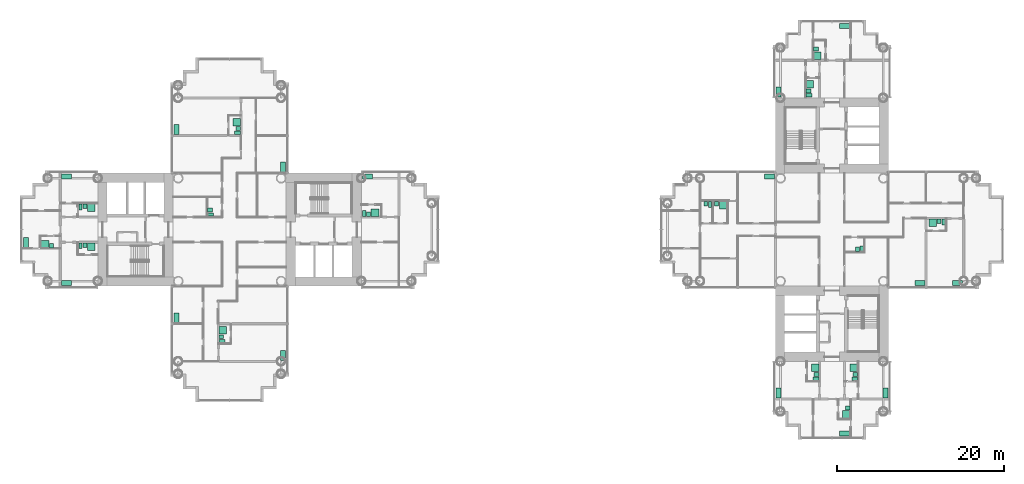
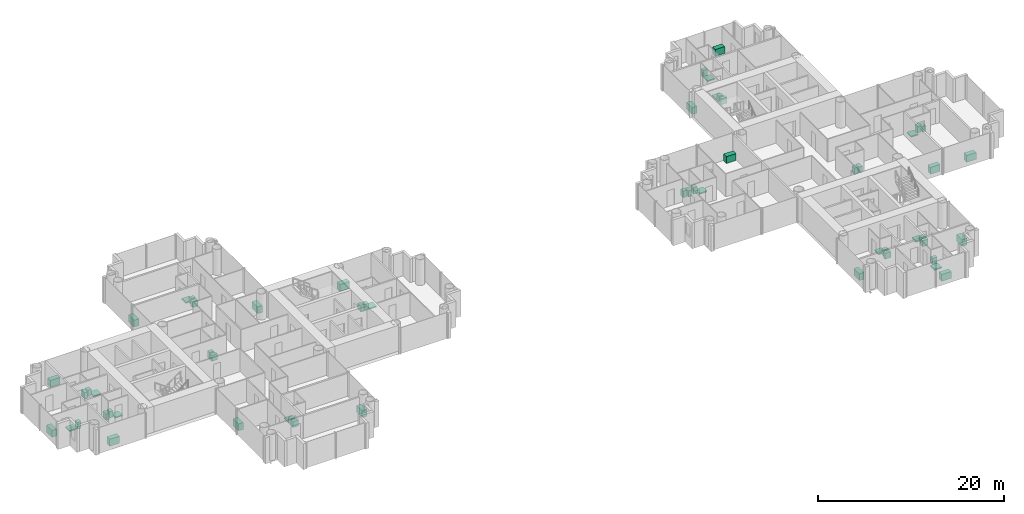
# One storey, part 22 of 22: 57 sanitary terminals.
"""IFC4 building model written with IfcOpenShell, lengths in metres."""

from ifc_helpers import new_model, si_unit, direction, frame, origin, origin_2d, place, context, subcontext, project, spatial, rectangle, extrude, material, type_object, element, save


model = new_model("IFC4")

# Units and contexts
model_context = context("Model", 3, precision=1e-05, world=origin(), true_north=direction((0.0, 1.0)))
body_context = subcontext(model_context, "Body", "Model", "MODEL_VIEW")
ifc_project = project(units=[si_unit("LENGTHUNIT", "METRE"), si_unit("AREAUNIT", "SQUARE_METRE"), si_unit("VOLUMEUNIT", "CUBIC_METRE"), si_unit("PLANEANGLEUNIT", "RADIAN"), si_unit("MASSUNIT", "GRAM", prefix="KILO")], contexts=[model_context])

# Site, building, storey
site_placement = place(None, origin())
site = spatial("IfcSite", under=ifc_project, at=site_placement, CompositionType="ELEMENT")
building_placement = place(site_placement, origin())
building = spatial("IfcBuilding", under=site, at=building_placement, Name="Ipe Terrace Towers", CompositionType="ELEMENT")
storey_placement = place(building_placement, frame((0.0, 0.0, 55.10009765625)))
storey = spatial("IfcBuildingStorey", under=building, at=storey_placement, Name="L14", CompositionType="ELEMENT", Elevation=55.10009765625)

# Sanitary terminals
ifc_material_1 = material(Name="Stainless sink unit", Category="metal")
sanitary_terminal_type_1 = type_object("IfcSanitaryTerminalType", Name="Kitchen sink unit", PredefinedType="SINK", material=ifc_material_1)
for number, where, z_axis, x_axis, name in (
    (1, (-42.3798828125, 11.969970703125, 0.0), (0.0, 0.0, 1.0), (0.0, 1.0, 0.0), "Kitchen sink unit"),
    (2, (-29.6201171875, 7.469970703125, 0.0), (0.0, 0.0, 1.0), (0.0, -1.0, 0.0), "Kitchen sink unit"),
    (3, (-29.6201171875, -15.030029296875, 0.0), (0.0, 0.0, 1.0), (0.0, -1.0, 0.0), "Kitchen sink unit"),
    (4, (-42.3798828125, -10.530029296875, 0.0), (0.0, 0.0, 1.0), (0.0, 1.0, 0.0), "Kitchen sink unit"),
    (5, (-19.530029296875, 6.3798828125, 0.0), (0.0, 0.0, 1.0), (1.0, 0.0, 0.0), "Kitchen sink unit"),
    (6, (-55.530029296875, -6.3798828125, 0.0), (0.0, 0.0, 1.0), (-1.0, 0.0, 0.0), "Kitchen sink unit"),
    (7, (-55.530029296875, 6.3798828125, 0.0), (0.0, 0.0, 1.0), (1.0, 0.0, 0.0), "Kitchen sink unit"),
    (8, (-60.3798828125, -1.530029296875, 0.0), (0.0, 0.0, 1.0), (0.0, 1.0, 0.0), "Kitchen sink unit"),
    (9, (28.530029296875, 6.3798828125, 0.0), (0.0, 0.0, 1.0), (1.0, 0.0, 0.0), "Kitchen sink unit"),
    (10, (46.530029296875, -6.3798828125, 0.0), (0.0, 0.0, 1.0), (-1.0, 0.0, 0.0), "Kitchen sink unit"),
    (11, (51.030029296875, -6.3798828125, 0.0), (0.0, 0.0, 1.0), (-1.0, 0.0, 0.0), "Kitchen sink unit"),
    (12, (29.6201171875, 16.469970703125, 0.0), (0.0, 0.0, 1.0), (0.0, 1.0, 0.0), "Kitchen sink unit"),
    (13, (37.530029296875, 24.3798828125, 0.0), (0.0, 0.0, 1.0), (1.0, 0.0, 0.0), "Kitchen sink unit"),
    (14, (42.3798828125, -19.530029296875, 0.0), (0.0, 0.0, 1.0), (0.0, -1.0, 0.0), "Kitchen sink unit"),
    (15, (29.6201171875, -19.530029296875, 0.0), (0.0, 0.0, 1.0), (0.0, 1.0, 0.0), "Kitchen sink unit"),
    (16, (37.530029296875, -24.3798828125, 0.0), (0.0, 0.0, 1.0), (-1.0, 0.0, 0.0), "Kitchen sink unit"),
):
    element("IfcSanitaryTerminal", number, at=place(storey_placement, frame(where, z_axis=z_axis, x_axis=x_axis)), inside=storey, type_object=sanitary_terminal_type_1, Name=name, PredefinedType="SINK", context=body_context, shape_type="SweptSolid", body=[
        extrude(rectangle(XDim=1.199951171875, YDim=0.60009765625, at=origin_2d()), origin(), (0.0, 0.0, 1.0), 0.89990234375),
    ])
ifc_material_2 = material(Name="Acrylic", Category="plastic")
sanitary_terminal_type_2 = type_object("IfcSanitaryTerminalType", Name="Shower tray", PredefinedType="SHOWER", material=ifc_material_2)
for number, where, z_axis, x_axis, name in (
    (17, (-35.169921875, 12.8701171875, 0.0), (0.0, 0.0, 1.0), (-1.0, 0.0, 0.0), "Shower tray"),
    (18, (-36.830078125, -12.030029296875, 0.0), (0.0, 0.0, 1.0), (1.0, 0.0, 0.0), "Shower tray"),
    (19, (-18.6298828125, 2.02001953125, 0.0), (0.0, 0.0, 1.0), (0.0, 1.0, 0.0), "Shower tray"),
    (20, (-52.530029296875, -2.02001953125, 0.0), (0.0, 0.0, 1.0), (0.0, -1.0, 0.0), "Shower tray"),
    (21, (-52.530029296875, 2.6298828125, 0.0), (0.0, 0.0, 1.0), (0.0, -1.0, 0.0), "Shower tray"),
    (22, (-58.080078125, -1.72998046875, 0.0), (0.0, 0.0, 1.0), (0.0, 1.0, 0.0), "Shower tray"),
    (23, (22.97998046875, 2.929931640625, 0.0), (0.0, 0.0, 1.0), (0.0, -1.0, 0.0), "Shower tray"),
    (24, (48.030029296875, 0.830078125, 0.0), (0.0, 0.0, 1.0), (0.0, -1.0, 0.0), "Shower tray"),
    (25, (33.3701171875, 17.3701171875, 0.0), (0.0, 0.0, 1.0), (1.0, 0.0, 0.0), "Shower tray"),
    (26, (34.27001953125, 20.820068359375, 0.0), (0.0, 0.0, 1.0), (1.0, 0.0, 0.0), "Shower tray"),
    (27, (38.6298828125, -16.530029296875, 0.0), (0.0, 0.0, 1.0), (-1.0, 0.0, 0.0), "Shower tray"),
    (28, (33.97998046875, -16.530029296875, 0.0), (0.0, 0.0, 1.0), (-1.0, 0.0, 0.0), "Shower tray"),
    (29, (37.72998046875, -22.080078125, 0.0), (0.0, 0.0, 1.0), (-1.0, 0.0, 0.0), "Shower tray"),
):
    element("IfcSanitaryTerminal", number, at=place(storey_placement, frame(where, z_axis=z_axis, x_axis=x_axis)), inside=storey, type_object=sanitary_terminal_type_2, Name=name, PredefinedType="SHOWER", context=body_context, shape_type="SweptSolid", body=[
        extrude(rectangle(XDim=0.89990234375, YDim=0.89990234375, at=origin_2d()), origin(), (0.0, 0.0, 1.0), 0.14990234375),
    ])
ifc_material_3 = material(Name="Vitreous china", Category="ceramic")
sanitary_terminal_type_3 = type_object("IfcSanitaryTerminalType", Name="Wash basin", PredefinedType="WASHHANDBASIN", material=ifc_material_3)
for number, where, z_axis, x_axis, name in (
    (30, (-38.35498046875, 2.344970703125, -0.000244140625), (0.0, 0.0, 1.0), (1.0, 0.0, 0.0), "Wash basin"),
    (31, (-34.9951171875, 12.094970703125, -0.000244140625), (0.0, 0.0, 1.0), (-1.0, 0.0, 0.0), "Wash basin"),
    (32, (-37.0048828125, -12.804931640625, -0.000244140625), (0.0, 0.0, 1.0), (1.0, 0.0, 0.0), "Wash basin"),
    (33, (-19.405029296875, 1.844970703125, -0.000244140625), (0.0, 0.0, 1.0), (0.0, 1.0, 0.0), "Wash basin"),
    (34, (-53.304931640625, -1.844970703125, -0.000244140625), (0.0, 0.0, 1.0), (0.0, -1.0, 0.0), "Wash basin"),
    (35, (-53.304931640625, 2.804931640625, -0.000244140625), (0.0, 0.0, 1.0), (0.0, -1.0, 0.0), "Wash basin"),
    (36, (-57.304931640625, -1.905029296875, -0.000244140625), (0.0, 0.0, 1.0), (0.0, 1.0, 0.0), "Wash basin"),
    (37, (39.054931640625, -2.35498046875, -0.000244140625), (0.0, 0.0, 1.0), (0.0, 1.0, 0.0), "Wash basin"),
    (38, (22.205078125, 3.10498046875, -0.000244140625), (0.0, 0.0, 1.0), (0.0, -1.0, 0.0), "Wash basin"),
    (39, (20.905029296875, 3.10498046875, -0.000244140625), (0.0, 0.0, 1.0), (0.0, -1.0, 0.0), "Wash basin"),
    (40, (48.804931640625, 1.0048828125, -0.000244140625), (0.0, 0.0, 1.0), (0.0, -1.0, 0.0), "Wash basin"),
    (41, (33.195068359375, 16.594970703125, -0.000244140625), (0.0, 0.0, 1.0), (1.0, 0.0, 0.0), "Wash basin"),
    (42, (34.094970703125, 21.594970703125, -0.000244140625), (0.0, 0.0, 1.0), (1.0, 0.0, 0.0), "Wash basin"),
    (43, (38.804931640625, -17.304931640625, -0.000244140625), (0.0, 0.0, 1.0), (-1.0, 0.0, 0.0), "Wash basin"),
    (44, (34.155029296875, -17.304931640625, -0.000244140625), (0.0, 0.0, 1.0), (-1.0, 0.0, 0.0), "Wash basin"),
    (45, (37.905029296875, -21.304931640625, -0.000244140625), (0.0, 0.0, 1.0), (-1.0, 0.0, 0.0), "Wash basin"),
):
    element("IfcSanitaryTerminal", number, at=place(storey_placement, frame(where, z_axis=z_axis, x_axis=x_axis)), inside=storey, type_object=sanitary_terminal_type_3, Name=name, PredefinedType="WASHHANDBASIN", context=body_context, shape_type="SweptSolid", body=[
        extrude(rectangle(XDim=0.550048828125, YDim=0.449951171875, at=origin_2d()), origin(), (0.0, 0.0, 1.0), 0.85009765625),
    ])
ifc_material_4 = material(Name="Vitreous china", Category="ceramic")
sanitary_terminal_type_4 = type_object("IfcSanitaryTerminalType", Name="Water closet", PredefinedType="TOILETPAN", material=ifc_material_4)
for number, where, z_axis, x_axis, name in (
    (46, (-38.280029296875, 1.820068359375, 0.0), (0.0, 0.0, 1.0), (1.0, 0.0, 0.0), "Water closet"),
    (47, (-35.070068359375, 11.570068359375, 0.0), (0.0, 0.0, 1.0), (-1.0, 0.0, 0.0), "Water closet"),
    (48, (-36.929931640625, -13.330078125, 0.0), (0.0, 0.0, 1.0), (1.0, 0.0, 0.0), "Water closet"),
    (49, (-19.929931640625, 1.919921875, 0.0), (0.0, 0.0, 1.0), (0.0, 1.0, 0.0), "Water closet"),
    (50, (-53.830078125, -1.919921875, 0.0), (0.0, 0.0, 1.0), (0.0, -1.0, 0.0), "Water closet"),
    (51, (-53.830078125, 2.72998046875, 0.0), (0.0, 0.0, 1.0), (0.0, -1.0, 0.0), "Water closet"),
    (52, (39.580078125, -2.280029296875, 0.0), (0.0, 0.0, 1.0), (0.0, 1.0, 0.0), "Water closet"),
    (53, (21.429931640625, 3.030029296875, 0.0), (0.0, 0.0, 1.0), (0.0, -1.0, 0.0), "Water closet"),
    (54, (49.330078125, 0.929931640625, 0.0), (0.0, 0.0, 1.0), (0.0, -1.0, 0.0), "Water closet"),
    (55, (33.27001953125, 16.070068359375, 0.0), (0.0, 0.0, 1.0), (1.0, 0.0, 0.0), "Water closet"),
    (56, (38.72998046875, -17.830078125, 0.0), (0.0, 0.0, 1.0), (-1.0, 0.0, 0.0), "Water closet"),
    (57, (34.080078125, -17.830078125, 0.0), (0.0, 0.0, 1.0), (-1.0, 0.0, 0.0), "Water closet"),
):
    element("IfcSanitaryTerminal", number, at=place(storey_placement, frame(where, z_axis=z_axis, x_axis=x_axis)), inside=storey, type_object=sanitary_terminal_type_4, Name=name, PredefinedType="TOILETPAN", context=body_context, shape_type="SweptSolid", body=[
        extrude(rectangle(XDim=0.699951171875, YDim=0.39990234375, at=origin_2d()), origin(), (0.0, 0.0, 1.0), 0.780029296875),
    ])

save(model, "model.ifc")
